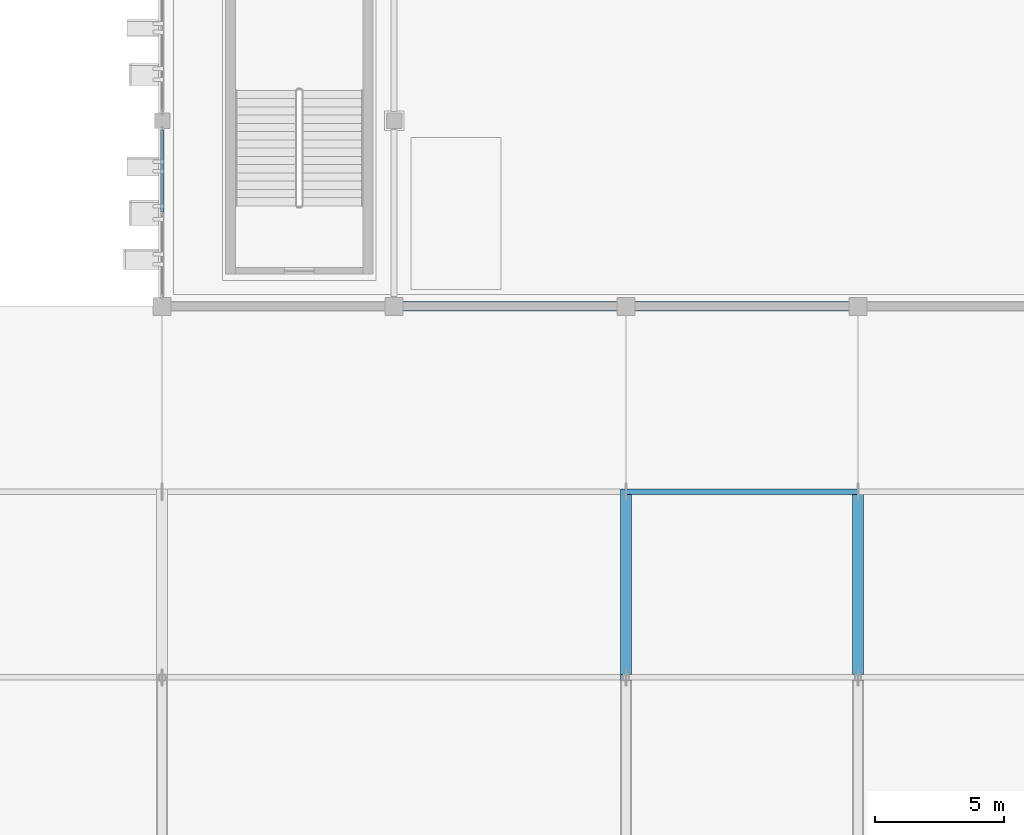
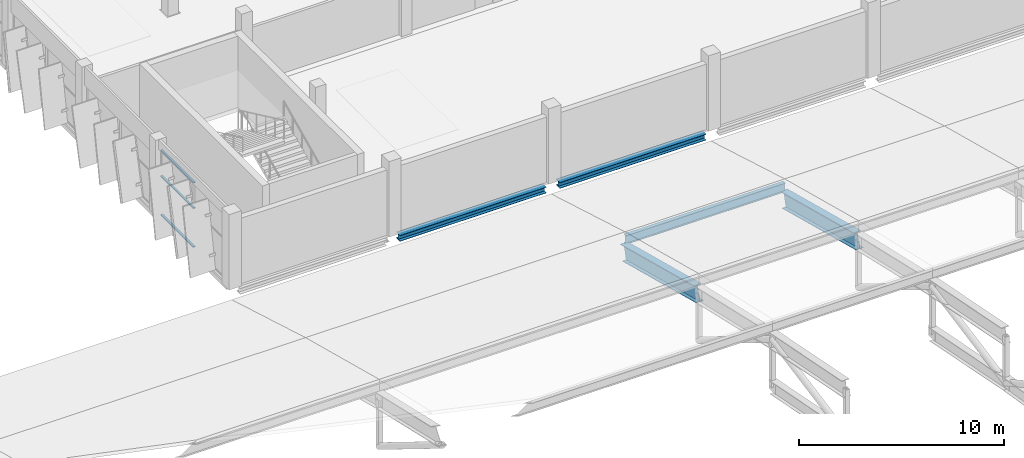
# One storey, part 29 of 124: 6 members, 2 beams, 1 element without a shape of its own.
"""IFC4 building model written with IfcOpenShell, lengths in metres."""

import ifcopenshell
import ifcopenshell.guid

model = None  # the IFC model being written
_history = None  # IfcOwnerHistory: only IFC2X3 demands one
_inside = {}  # id of a spatial element -> (the spatial element, [elements in it])
_under = {}  # id of a project, library or spatial element -> (it, [spatial elements below it])
_declared = {}  # id of a project -> (the project, [libraries it declares])
_typed = {}  # id of a type object -> (the type object, [elements of that type])
_made_of = {}  # id of a material, layer set ... -> (it, [elements and type objects made of it])


def new_model(schema):
    """Start an empty IFC model of exactly this schema.

    Asked for "IFC4X3", IfcOpenShell would pick the latest addendum, in which some entities
    have other attributes; the version numbers below select the first issue.
    IFC2X3 requires an IfcOwnerHistory on every rooted entity: one is made here for all.
    """
    global model, _history
    if schema == "IFC4X3":
        model = ifcopenshell.file(schema_version=(4, 3, 0, 0))
    else:
        model = ifcopenshell.file(schema=schema)
    _inside.clear()
    _under.clear()
    _declared.clear()
    _typed.clear()
    _made_of.clear()
    _history = None
    if model.schema == "IFC2X3":
        org = make("IfcOrganization", Name="unknown")
        user = make(
            "IfcPersonAndOrganization",
            ThePerson=make("IfcPerson", FamilyName="unknown"),
            TheOrganization=org,
        )
        app = make(
            "IfcApplication",
            ApplicationDeveloper=org,
            Version="unknown",
            ApplicationFullName="unknown",
            ApplicationIdentifier="unknown",
        )
        _history = make(
            "IfcOwnerHistory",
            OwningUser=user,
            OwningApplication=app,
            ChangeAction="ADDED",
            CreationDate=0,
        )
    return model


def make(cls, **values):
    """One entity of the class cls with the attributes given. An attribute that is None is left unset."""
    return model.create_entity(
        cls, **{name: value for name, value in values.items() if value is not None}
    )


def rooted(cls, **values):
    """An entity with a GlobalId (a new one), such as an element, a storey or a relation."""
    return make(cls, GlobalId=ifcopenshell.guid.new(), OwnerHistory=_history, **values)


def si_unit(unit_type, name, prefix=None):
    """IfcSIUnit, for example si_unit("LENGTHUNIT", "METRE", prefix="MILLI")."""
    return make("IfcSIUnit", UnitType=unit_type, Prefix=prefix, Name=name)


def assignment(units):
    """IfcUnitAssignment: the units of a project."""
    return None if units is None else make("IfcUnitAssignment", Units=units)


def point(xyz):
    """IfcCartesianPoint."""
    return None if xyz is None else make("IfcCartesianPoint", Coordinates=xyz)


def direction(xyz):
    """IfcDirection."""
    return None if xyz is None else make("IfcDirection", DirectionRatios=xyz)


def frame(location, z_axis=None, x_axis=None):
    """IfcAxis2Placement3D, a coordinate frame: its origin and axes. An axis left out is left unset."""
    return make(
        "IfcAxis2Placement3D",
        Location=point(location),
        Axis=direction(z_axis),
        RefDirection=direction(x_axis),
    )


def frame_2d(location, x_axis=None):
    """IfcAxis2Placement2D, a coordinate frame in the plane: its origin and x axis."""
    return make(
        "IfcAxis2Placement2D", Location=point(location), RefDirection=direction(x_axis)
    )


def origin():
    """The frame at (0, 0, 0) with its axes left unset."""
    return frame((0.0, 0.0, 0.0))


def origin_2d():
    """The frame at (0, 0) in the plane with its x axis left unset."""
    return frame_2d((0.0, 0.0))


def place(relative_to, where):
    """IfcLocalPlacement: puts the frame where relative to a parent placement (None: the world)."""
    return make(
        "IfcLocalPlacement", PlacementRelTo=relative_to, RelativePlacement=where
    )


def context(
    kind, dimensions, precision=None, world=None, true_north=None, identifier=None
):
    """IfcGeometricRepresentationContext, for example the 3D "Model" context."""
    return make(
        "IfcGeometricRepresentationContext",
        ContextIdentifier=identifier,
        ContextType=kind,
        CoordinateSpaceDimension=dimensions,
        Precision=precision,
        WorldCoordinateSystem=world,
        TrueNorth=true_north,
    )


def subcontext(parent, identifier, kind, view, scale=None):
    """IfcGeometricRepresentationSubContext, for example "Body" below "Model"."""
    return make(
        "IfcGeometricRepresentationSubContext",
        ContextIdentifier=identifier,
        ContextType=kind,
        ParentContext=parent,
        TargetScale=scale,
        TargetView=view,
    )


def project(units=None, contexts=None):
    """IfcProject with its units and contexts."""
    return rooted(
        "IfcProject",
        Name="project",
        RepresentationContexts=contexts,
        UnitsInContext=assignment(units),
    )


def spatial(cls, under=None, at=None, **own):
    """A site, building, storey or space (cls), placed at a placement, below another one or the project."""
    s = rooted(cls, ObjectPlacement=at, **own)
    if under is not None:
        _under.setdefault(under.id(), (under, []))[1].append(s)
    return s


def profile(cls, at=None, kind="AREA", **sizes):
    """A parametric profile (cls). Its sizes go by their IFC names, for example OverallWidth=200.0."""
    return make(cls, ProfileType=kind, Position=at, **sizes)


def hollow_rectangle(**sizes):
    """IfcRectangleHollowProfileDef."""
    return profile("IfcRectangleHollowProfileDef", **sizes)


def i_section(**sizes):
    """IfcIShapeProfileDef."""
    return profile("IfcIShapeProfileDef", **sizes)


def extrude(swept, where, along, depth):
    """IfcExtrudedAreaSolid: the profile swept, set in the frame where, extruded along a direction by depth."""
    return make(
        "IfcExtrudedAreaSolid",
        SweptArea=swept,
        Position=where,
        ExtrudedDirection=direction(along),
        Depth=depth,
    )


def shape(context_of_items, identifier, shape_type, items):
    """IfcShapeRepresentation: the items that make up one representation, for example the "Body"."""
    return make(
        "IfcShapeRepresentation",
        ContextOfItems=context_of_items,
        RepresentationIdentifier=identifier,
        RepresentationType=shape_type,
        Items=items,
    )


def material(Name=None, Category=None):
    """IfcMaterial."""
    return make("IfcMaterial", Name=Name, Category=Category)


def layer(
    of_material, thickness, ventilated=None, Name=None, Category=None, Priority=None
):
    """IfcMaterialLayer: one layer of a wall or slab, of a material (None: an air gap)."""
    return make(
        "IfcMaterialLayer",
        Material=of_material,
        LayerThickness=thickness,
        IsVentilated=ventilated,
        Name=Name,
        Category=Category,
        Priority=Priority,
    )


def layer_set(layers, Name=None):
    """IfcMaterialLayerSet."""
    return make("IfcMaterialLayerSet", MaterialLayers=layers, LayerSetName=Name)


def material_profile(
    of_material, cross_section, Name=None, Category=None, Priority=None
):
    """IfcMaterialProfile: a cross section and its material."""
    return make(
        "IfcMaterialProfile",
        Name=Name,
        Material=of_material,
        Profile=cross_section,
        Priority=Priority,
        Category=Category,
    )


def profile_set(profiles, Name=None, composite=None):
    """IfcMaterialProfileSet."""
    return make(
        "IfcMaterialProfileSet",
        Name=Name,
        MaterialProfiles=profiles,
        CompositeProfile=composite,
    )


def made_of(thing, what):
    """Note that an element or type object is made of a material, layer set ...; save() writes the relation."""
    if what is not None:
        _made_of.setdefault(what.id(), (what, []))[1].append(thing)
    return thing


def type_object(cls, material=None, **own):
    """A type object (cls), such as IfcWallType, which elements share."""
    return made_of(rooted(cls, **own), material)


def element(
    cls,
    number,
    at=None,
    inside=None,
    cuts=None,
    type_object=None,
    material=None,
    context=None,
    identifier="Body",
    shape_type=None,
    held_by="IfcProductDefinitionShape",
    body=None,
    shapes=None,
    **own,
):
    """One element of the class cls, such as IfcWall. Its Tag is "e" and its number.

    at: its placement. inside: the storey or other place that contains it. cuts: it is an
    opening in that element (IfcRelVoidsElement). A single representation is given by context,
    identifier, shape_type and body (its items); several are given by shapes. held_by: the class
    of the entity that holds the representations. save() writes the other relations.
    """
    e = rooted(cls, Tag="e%d" % number, ObjectPlacement=at, **own)
    if body is not None:
        shapes = [shape(context, identifier, shape_type, body)]
    if shapes is not None:
        e.Representation = make(held_by, Representations=shapes)
    if inside is not None:
        _inside.setdefault(inside.id(), (inside, []))[1].append(e)
    if cuts is not None:
        rooted(
            "IfcRelVoidsElement", RelatingBuildingElement=cuts, RelatedOpeningElement=e
        )
    if type_object is not None:
        _typed.setdefault(type_object.id(), (type_object, []))[1].append(e)
    return made_of(e, material)


def aggregate(whole, parts):
    """IfcRelAggregates: a whole, such as a stair, and the parts it consists of."""
    return rooted("IfcRelAggregates", RelatingObject=whole, RelatedObjects=parts)


def save(model, path):
    """Write the relations noted so far, then the file.

    IfcRelAggregates (storeys below a building ...), IfcRelContainedInSpatialStructure (elements
    in a storey), IfcRelDefinesByType, IfcRelAssociatesMaterial and IfcRelDeclares: one each for
    every whole, place, type object, material and project.
    """
    for whole, parts in _under.values():
        aggregate(whole, parts)
    for where, things in _inside.values():
        rooted(
            "IfcRelContainedInSpatialStructure",
            RelatedElements=things,
            RelatingStructure=where,
        )
    for kind, things in _typed.values():
        rooted("IfcRelDefinesByType", RelatedObjects=things, RelatingType=kind)
    for what, things in _made_of.values():
        rooted("IfcRelAssociatesMaterial", RelatedObjects=things, RelatingMaterial=what)
    for by, libraries in _declared.values():
        rooted("IfcRelDeclares", RelatingContext=by, RelatedDefinitions=libraries)
    model.write(path)


model = new_model("IFC4")

# Units and contexts
model_context = context("Model", 3, precision=1e-05, world=origin(), true_north=direction((0.0, 1.0)))
body_context = subcontext(model_context, "Body", "Model", "MODEL_VIEW")
ifc_project = project(units=[si_unit("LENGTHUNIT", "METRE"), si_unit("AREAUNIT", "SQUARE_METRE"), si_unit("VOLUMEUNIT", "CUBIC_METRE"), si_unit("PLANEANGLEUNIT", "RADIAN"), si_unit("MASSUNIT", "GRAM", prefix="KILO")], contexts=[model_context])

# Site, building, storey
site_placement = place(None, origin())
site = spatial("IfcSite", under=ifc_project, at=site_placement, CompositionType="ELEMENT")
building_placement = place(site_placement, origin())
building = spatial("IfcBuilding", under=site, at=building_placement, Name="Celestram Park Convention Centre", CompositionType="ELEMENT")
storey_placement = place(building_placement, frame((0.0, 0.0, 15.300048828125)))
storey = spatial("IfcBuildingStorey", under=building, at=storey_placement, Name="L03", CompositionType="ELEMENT", Elevation=15.300048828125)

# Curtain wall, members
ifc_material_1 = material(Name="Anodised Aluminium Alloy 6063-T6", Category="aluminium")
ifc_layer = layer(ifc_material_1, 0.179931640625)
ifc_layer_set = layer_set([ifc_layer], Name="Anodised Aluminium Alloy 6063-T6")
curtain_wall_type = type_object("IfcCurtainWallType", Name="ARC-CW-655X389", PredefinedType="NOTDEFINED", material=ifc_layer_set)
curtain_wall_placement = place(storey_placement, origin())
curtain_wall = element("IfcCurtainWall", 1, at=curtain_wall_placement, inside=storey, type_object=curtain_wall_type, Name="Unitised curtain wall CU-L03-195", PredefinedType="NOTDEFINED")
ifc_material_profile_1 = material_profile(ifc_material_1, hollow_rectangle(XDim=0.1201171875, YDim=0.06005859375, WallThickness=0.0029296875, at=origin_2d()), Name="ALU120X60X3")
ifc_profile_set_1 = profile_set([ifc_material_profile_1], Name="Anodised Aluminium Alloy 6063-T6")
member_type_1 = type_object("IfcMemberType", Name="ARC-CWT-120", PredefinedType="USERDEFINED", material=ifc_profile_set_1)
member_1_placement = place(storey_placement, frame((36.0, 111.657470703125, 0.030029296875), z_axis=(0.0, 1.0, 0.0), x_axis=(-1.0, 0.0, 0.0)))
member_1 = element("IfcMember", 2, at=member_1_placement, type_object=member_type_1, Name="CW-65X38 transom 2.1", ObjectType="TRANSOM", PredefinedType="USERDEFINED", context=body_context, shape_type="SweptSolid", body=[
    extrude(hollow_rectangle(XDim=0.1201171875, YDim=0.06005859375, WallThickness=0.0029296875, at=origin_2d()), origin(), (0.0, 0.0, 1.0), 3.179443359375),
])
member_2_placement = place(storey_placement, frame((36.0, 111.657470703125, 2.3359375), z_axis=(0.0, 1.0, 0.0), x_axis=(-1.0, 0.0, 0.0)))
member_2 = element("IfcMember", 3, at=member_2_placement, type_object=member_type_1, Name="CW-65X38 transom 2.2", ObjectType="TRANSOM", PredefinedType="USERDEFINED", context=body_context, shape_type="SweptSolid", body=[
    extrude(hollow_rectangle(XDim=0.1201171875, YDim=0.06005859375, WallThickness=0.0029296875, at=origin_2d()), origin(), (0.0, 0.0, 1.0), 3.179443359375),
])
member_3_placement = place(storey_placement, frame((36.0, 111.657470703125, 3.864013671875), z_axis=(0.0, 1.0, 0.0), x_axis=(-1.0, 0.0, 0.0)))
member_3 = element("IfcMember", 4, at=member_3_placement, type_object=member_type_1, Name="CW-65X38 transom 2.3", ObjectType="TRANSOM", PredefinedType="USERDEFINED", context=body_context, shape_type="SweptSolid", body=[
    extrude(hollow_rectangle(XDim=0.1201171875, YDim=0.06005859375, WallThickness=0.0029296875, at=origin_2d()), origin(), (0.0, 0.0, 1.0), 3.179443359375),
])
aggregate(curtain_wall, [member_1, member_2, member_3])

# Members
ifc_material_2 = material(Name="Steel ASTM A992 Grade 50", Category="steel")
ifc_material_profile_2 = material_profile(ifc_material_2, i_section(OverallWidth=0.4189453125, OverallDepth=0.927001953125, WebThickness=0.019287109375, FlangeThickness=0.031982421875, at=origin_2d()), Name="W36X231")
ifc_profile_set_2 = profile_set([ifc_material_profile_2], Name="Steel ASTM A992 Grade 50")
member_type_2 = type_object("IfcMemberType", Name="STR-CHD-W36X231", PredefinedType="CHORD", material=ifc_profile_set_2)
for number, where, z_axis, x_axis, name in (
    (5, (54.0, 93.60009765625, 1.9150390625), (0.0, 0.967619711376, -0.252412547544), (-1.0, 0.0, 0.0), "V1 arch top chord"),
    (6, (63.0, 93.60009765625, 1.9150390625), (0.0, 0.967619711376, -0.252412547544), (-1.0, 0.0, 0.0), "V1 arch top chord"),
):
    element("IfcMember", number, at=place(storey_placement, frame(where, z_axis=z_axis, x_axis=x_axis)), inside=storey, type_object=member_type_2, Name=name, PredefinedType="CHORD", context=body_context, shape_type="SweptSolid", body=[
        extrude(i_section(OverallWidth=0.4189453125, OverallDepth=0.927001953125, WebThickness=0.019287109375, FlangeThickness=0.031982421875, at=origin_2d()), origin(), (0.0, 0.0, 1.0), 7.44091796875),
    ])
ifc_material_profile_3 = material_profile(ifc_material_2, i_section(OverallWidth=0.2099609375, OverallDepth=0.532958984375, WebThickness=0.01025390625, FlangeThickness=0.015625, at=origin_2d()), Name="W21X62")
ifc_profile_set_3 = profile_set([ifc_material_profile_3], Name="Steel ASTM A992 Grade 50")
member_type_3 = type_object("IfcMemberType", Name="STR-RFT-W21X62", PredefinedType="RAFTER", material=ifc_profile_set_3)
member_4_placement = place(storey_placement, frame((54.0, 100.800048828125, 0.766845703125), z_axis=(1.0, 0.0, 0.0), x_axis=(0.0, 1.0, 0.0)))
element("IfcMember", 7, at=member_4_placement, inside=storey, type_object=member_type_3, Name="V1 roof purlin", PredefinedType="RAFTER", context=body_context, shape_type="SweptSolid", body=[
    extrude(i_section(OverallWidth=0.2099609375, OverallDepth=0.532958984375, WebThickness=0.01025390625, FlangeThickness=0.015625, at=origin_2d()), origin(), (0.0, 0.0, 1.0), 9.0),
])

# Beams
ifc_material_profile_4 = material_profile(ifc_material_2, i_section(OverallWidth=0.367919921875, OverallDepth=0.35595703125, WebThickness=0.01123046875, FlangeThickness=0.01806640625, at=origin_2d()), Name="W14X90")
ifc_profile_set_4 = profile_set([ifc_material_profile_4], Name="Steel ASTM A992 Grade 50")
beam_type = type_object("IfcBeamType", Name="STR-SPN-W14X90", PredefinedType="SPANDREL", material=ifc_profile_set_4)
for number, where, z_axis, x_axis, name in (
    (8, (45.373046875, 108.0, -0.427978515625), (1.0, 0.0, 0.0), (0.0, 1.0, 0.0), "Primary X-girder BG-L03-0015"),
    (9, (54.373046875, 108.0, -0.427978515625), (1.0, 0.0, 0.0), (0.0, 1.0, 0.0), "Primary X-girder BG-L03-0031"),
):
    element("IfcBeam", number, at=place(storey_placement, frame(where, z_axis=z_axis, x_axis=x_axis)), inside=storey, type_object=beam_type, Name=name, PredefinedType="SPANDREL", context=body_context, shape_type="SweptSolid", body=[
        extrude(i_section(OverallWidth=0.367919921875, OverallDepth=0.35595703125, WebThickness=0.01123046875, FlangeThickness=0.01806640625, at=origin_2d()), origin(), (0.0, 0.0, 1.0), 8.25390625),
    ])

save(model, "model.ifc")
